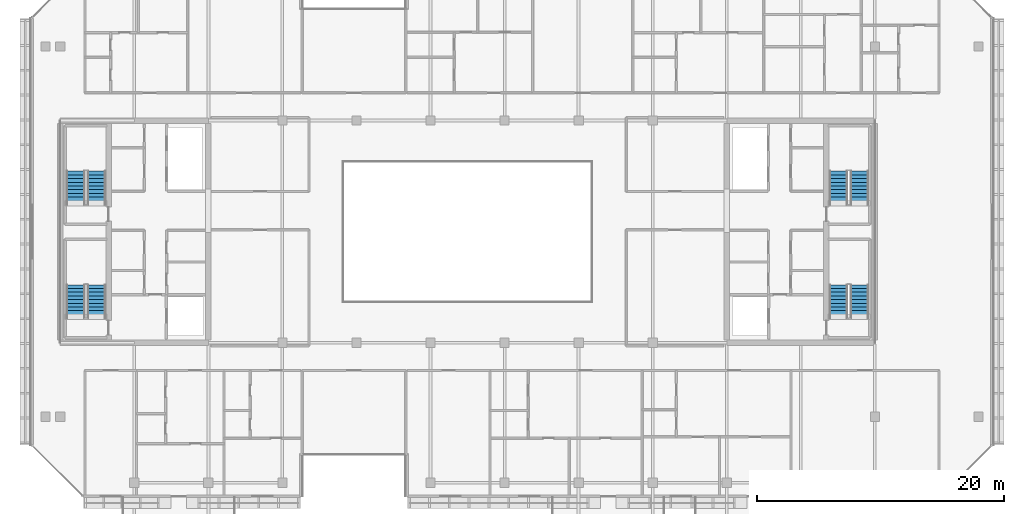
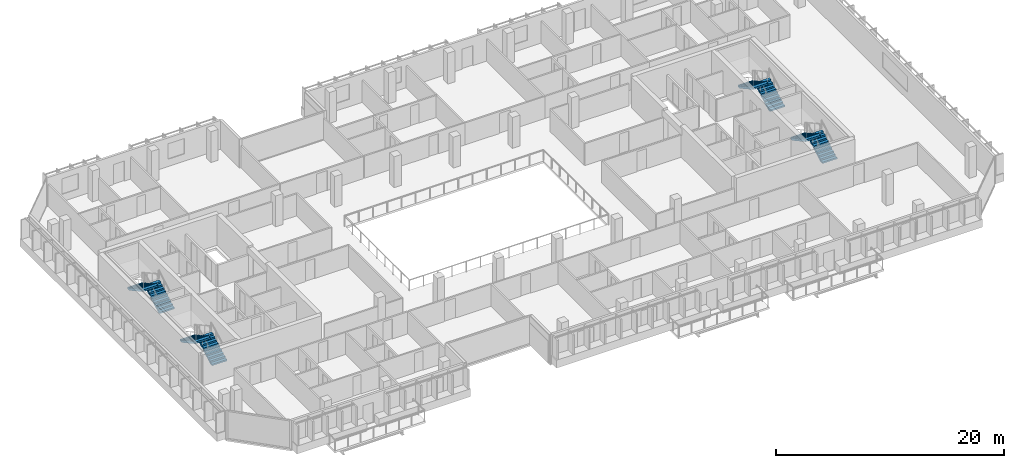
# One storey, part 20 of 25: 8 stair flights, 4 elements without a shape of their own.
"""IFC4 building model written with IfcOpenShell, lengths in metres."""

from ifc_helpers import new_model, si_unit, direction, frame, origin, place, context, subcontext, project, spatial, polyline, outline, extrude, material, type_object, element, aggregate, save


model = new_model("IFC4")

# Units and contexts
model_context = context("Model", 3, precision=1e-05, world=origin(), true_north=direction((0.0, 1.0)))
body_context = subcontext(model_context, "Body", "Model", "MODEL_VIEW")
ifc_project = project(units=[si_unit("LENGTHUNIT", "METRE"), si_unit("AREAUNIT", "SQUARE_METRE"), si_unit("VOLUMEUNIT", "CUBIC_METRE"), si_unit("PLANEANGLEUNIT", "RADIAN"), si_unit("MASSUNIT", "GRAM", prefix="KILO")], contexts=[model_context])

# Site, building, storey
site_placement = place(None, origin())
site = spatial("IfcSite", under=ifc_project, at=site_placement, CompositionType="ELEMENT")
building_placement = place(site_placement, origin())
building = spatial("IfcBuilding", under=site, at=building_placement, Name="Tanjung Sevakor Pilgrim Tower", CompositionType="ELEMENT")
storey_placement = place(building_placement, frame((0.0, 0.0, 204.929931640625)))
storey = spatial("IfcBuildingStorey", under=building, at=storey_placement, Name="L57", CompositionType="ELEMENT", Elevation=204.929931640625)

# Stair, stair flights
ifc_material_1 = material(Name="Concrete C40/50", Category="concrete")
stair_type = type_object("IfcStairType", Name="STAIR-ST-CR150", PredefinedType="HALF_TURN_STAIR", material=ifc_material_1)
stair_1_placement = place(storey_placement, origin())
stair_1 = element("IfcStair", 1, at=stair_1_placement, inside=storey, type_object=stair_type, Name="L57 West Core Exit Stair 1", PredefinedType="HALF_TURN_STAIR")
ifc_material_2 = material(Name="Concrete C40/50", Category="concrete")
stair_flight_type = type_object("IfcStairFlightType", Name="FLIGHT-ST-CR150", PredefinedType="STRAIGHT", material=ifc_material_2)
stair_flight_1_placement = place(storey_placement, frame((26.949951171875, 26.60009765625, 0.0), z_axis=(0.0, 0.0, 1.0), x_axis=(0.0, 1.0, 0.0)))
stair_flight_1 = element("IfcStairFlight", 2, at=stair_flight_1_placement, type_object=stair_flight_type, Name="TS-W1 flight 1", NumberOfRisers=10, NumberOfTreads=9, PredefinedType="STRAIGHT", RiserHeight=0.165, TreadLength=0.3, context=body_context, shape_type="SweptSolid", body=[
    extrude(outline(polyline([(0.0, 0.0), (0.0, 0.1650390625), (0.300048828125, 0.1650390625), (0.300048828125, 0.330078125), (0.60009765625, 0.330078125), (0.60009765625, 0.4951171875), (0.89990234375, 0.4951171875), (0.89990234375, 0.659912109375), (1.199951171875, 0.659912109375), (1.199951171875, 0.824951171875), (1.5, 0.824951171875), (1.5, 0.989990234375), (1.800048828125, 0.989990234375), (1.800048828125, 1.155029296875), (2.10009765625, 1.155029296875), (2.10009765625, 1.320068359375), (2.39990234375, 1.320068359375), (2.39990234375, 1.485107421875), (2.699951171875, 1.485107421875), (2.699951171875, 1.64990234375), (2.699951171875, 1.302490234375), (0.331787109375, 0.0), (0.0, 0.0)])), frame((0.0, 0.75, 0.0), z_axis=(0.0, -1.0, 0.0), x_axis=(1.0, 0.0, 0.0)), (0.0, 0.0, 1.0), 1.5),
])
stair_flight_2_placement = place(storey_placement, frame((25.25, 29.300048828125, 1.650146484375), z_axis=(0.0, 0.0, 1.0), x_axis=(0.0, -1.0, 0.0)))
stair_flight_2 = element("IfcStairFlight", 3, at=stair_flight_2_placement, type_object=stair_flight_type, Name="TS-W1 flight 2", NumberOfRisers=10, NumberOfTreads=9, PredefinedType="STRAIGHT", RiserHeight=0.165, TreadLength=0.3, context=body_context, shape_type="SweptSolid", body=[
    extrude(outline(polyline([(0.0, 0.0), (0.0, 0.1650390625), (0.300048828125, 0.1650390625), (0.300048828125, 0.330078125), (0.60009765625, 0.330078125), (0.60009765625, 0.4951171875), (0.89990234375, 0.4951171875), (0.89990234375, 0.659912109375), (1.199951171875, 0.659912109375), (1.199951171875, 0.824951171875), (1.5, 0.824951171875), (1.5, 0.989990234375), (1.800048828125, 0.989990234375), (1.800048828125, 1.155029296875), (2.10009765625, 1.155029296875), (2.10009765625, 1.320068359375), (2.39990234375, 1.320068359375), (2.39990234375, 1.485107421875), (2.699951171875, 1.485107421875), (2.699951171875, 1.64990234375), (2.699951171875, 1.302490234375), (0.331787109375, 0.0), (0.0, 0.0)])), frame((0.0, 0.75, 0.0), z_axis=(0.0, -1.0, 0.0), x_axis=(1.0, 0.0, 0.0)), (0.0, 0.0, 1.0), 1.5),
])
aggregate(stair_1, [stair_flight_1, stair_flight_2])

stair_2_placement = place(storey_placement, origin())
stair_2 = element("IfcStair", 4, at=stair_2_placement, inside=storey, type_object=stair_type, Name="L57 West Core Exit Stair 2", PredefinedType="HALF_TURN_STAIR")
stair_flight_3_placement = place(storey_placement, frame((26.949951171875, 35.800048828125, 0.0), z_axis=(0.0, 0.0, 1.0), x_axis=(0.0, 1.0, 0.0)))
stair_flight_3 = element("IfcStairFlight", 5, at=stair_flight_3_placement, type_object=stair_flight_type, Name="TS-W2 flight 1", NumberOfRisers=10, NumberOfTreads=9, PredefinedType="STRAIGHT", RiserHeight=0.165, TreadLength=0.3, context=body_context, shape_type="SweptSolid", body=[
    extrude(outline(polyline([(0.0, 0.0), (0.0, 0.1650390625), (0.300048828125, 0.1650390625), (0.300048828125, 0.330078125), (0.60009765625, 0.330078125), (0.60009765625, 0.4951171875), (0.89990234375, 0.4951171875), (0.89990234375, 0.659912109375), (1.199951171875, 0.659912109375), (1.199951171875, 0.824951171875), (1.5, 0.824951171875), (1.5, 0.989990234375), (1.800048828125, 0.989990234375), (1.800048828125, 1.155029296875), (2.10009765625, 1.155029296875), (2.10009765625, 1.320068359375), (2.39990234375, 1.320068359375), (2.39990234375, 1.485107421875), (2.699951171875, 1.485107421875), (2.699951171875, 1.64990234375), (2.699951171875, 1.302490234375), (0.331787109375, 0.0), (0.0, 0.0)])), frame((0.0, 0.75, 0.0), z_axis=(0.0, -1.0, 0.0), x_axis=(1.0, 0.0, 0.0)), (0.0, 0.0, 1.0), 1.5),
])
stair_flight_4_placement = place(storey_placement, frame((25.25, 38.5, 1.650146484375), z_axis=(0.0, 0.0, 1.0), x_axis=(0.0, -1.0, 0.0)))
stair_flight_4 = element("IfcStairFlight", 6, at=stair_flight_4_placement, type_object=stair_flight_type, Name="TS-W2 flight 2", NumberOfRisers=10, NumberOfTreads=9, PredefinedType="STRAIGHT", RiserHeight=0.165, TreadLength=0.3, context=body_context, shape_type="SweptSolid", body=[
    extrude(outline(polyline([(0.0, 0.0), (0.0, 0.1650390625), (0.300048828125, 0.1650390625), (0.300048828125, 0.330078125), (0.60009765625, 0.330078125), (0.60009765625, 0.4951171875), (0.89990234375, 0.4951171875), (0.89990234375, 0.659912109375), (1.199951171875, 0.659912109375), (1.199951171875, 0.824951171875), (1.5, 0.824951171875), (1.5, 0.989990234375), (1.800048828125, 0.989990234375), (1.800048828125, 1.155029296875), (2.10009765625, 1.155029296875), (2.10009765625, 1.320068359375), (2.39990234375, 1.320068359375), (2.39990234375, 1.485107421875), (2.699951171875, 1.485107421875), (2.699951171875, 1.64990234375), (2.699951171875, 1.302490234375), (0.331787109375, 0.0), (0.0, 0.0)])), frame((0.0, 0.75, 0.0), z_axis=(0.0, -1.0, 0.0), x_axis=(1.0, 0.0, 0.0)), (0.0, 0.0, 1.0), 1.5),
])
aggregate(stair_2, [stair_flight_3, stair_flight_4])

stair_3_placement = place(storey_placement, origin())
stair_3 = element("IfcStair", 7, at=stair_3_placement, inside=storey, type_object=stair_type, Name="L57 East Core Exit Stair 1", PredefinedType="HALF_TURN_STAIR")
stair_flight_5_placement = place(storey_placement, frame((88.75, 26.60009765625, 0.0), z_axis=(0.0, 0.0, 1.0), x_axis=(0.0, 1.0, 0.0)))
stair_flight_5 = element("IfcStairFlight", 8, at=stair_flight_5_placement, type_object=stair_flight_type, Name="TS-E1 flight 1", NumberOfRisers=10, NumberOfTreads=9, PredefinedType="STRAIGHT", RiserHeight=0.165, TreadLength=0.3, context=body_context, shape_type="SweptSolid", body=[
    extrude(outline(polyline([(0.0, 0.0), (0.0, 0.1650390625), (0.300048828125, 0.1650390625), (0.300048828125, 0.330078125), (0.60009765625, 0.330078125), (0.60009765625, 0.4951171875), (0.89990234375, 0.4951171875), (0.89990234375, 0.659912109375), (1.199951171875, 0.659912109375), (1.199951171875, 0.824951171875), (1.5, 0.824951171875), (1.5, 0.989990234375), (1.800048828125, 0.989990234375), (1.800048828125, 1.155029296875), (2.10009765625, 1.155029296875), (2.10009765625, 1.320068359375), (2.39990234375, 1.320068359375), (2.39990234375, 1.485107421875), (2.699951171875, 1.485107421875), (2.699951171875, 1.64990234375), (2.699951171875, 1.302490234375), (0.331787109375, 0.0), (0.0, 0.0)])), frame((0.0, 0.75, 0.0), z_axis=(0.0, -1.0, 0.0), x_axis=(1.0, 0.0, 0.0)), (0.0, 0.0, 1.0), 1.5),
])
stair_flight_6_placement = place(storey_placement, frame((87.050048828125, 29.300048828125, 1.650146484375), z_axis=(0.0, 0.0, 1.0), x_axis=(0.0, -1.0, 0.0)))
stair_flight_6 = element("IfcStairFlight", 9, at=stair_flight_6_placement, type_object=stair_flight_type, Name="TS-E1 flight 2", NumberOfRisers=10, NumberOfTreads=9, PredefinedType="STRAIGHT", RiserHeight=0.165, TreadLength=0.3, context=body_context, shape_type="SweptSolid", body=[
    extrude(outline(polyline([(0.0, 0.0), (0.0, 0.1650390625), (0.300048828125, 0.1650390625), (0.300048828125, 0.330078125), (0.60009765625, 0.330078125), (0.60009765625, 0.4951171875), (0.89990234375, 0.4951171875), (0.89990234375, 0.659912109375), (1.199951171875, 0.659912109375), (1.199951171875, 0.824951171875), (1.5, 0.824951171875), (1.5, 0.989990234375), (1.800048828125, 0.989990234375), (1.800048828125, 1.155029296875), (2.10009765625, 1.155029296875), (2.10009765625, 1.320068359375), (2.39990234375, 1.320068359375), (2.39990234375, 1.485107421875), (2.699951171875, 1.485107421875), (2.699951171875, 1.64990234375), (2.699951171875, 1.302490234375), (0.331787109375, 0.0), (0.0, 0.0)])), frame((0.0, 0.75, 0.0), z_axis=(0.0, -1.0, 0.0), x_axis=(1.0, 0.0, 0.0)), (0.0, 0.0, 1.0), 1.5),
])
aggregate(stair_3, [stair_flight_5, stair_flight_6])

stair_4_placement = place(storey_placement, origin())
stair_4 = element("IfcStair", 10, at=stair_4_placement, inside=storey, type_object=stair_type, Name="L57 East Core Exit Stair 2", PredefinedType="HALF_TURN_STAIR")
stair_flight_7_placement = place(storey_placement, frame((88.75, 35.800048828125, 0.0), z_axis=(0.0, 0.0, 1.0), x_axis=(0.0, 1.0, 0.0)))
stair_flight_7 = element("IfcStairFlight", 11, at=stair_flight_7_placement, type_object=stair_flight_type, Name="TS-E2 flight 1", NumberOfRisers=10, NumberOfTreads=9, PredefinedType="STRAIGHT", RiserHeight=0.165, TreadLength=0.3, context=body_context, shape_type="SweptSolid", body=[
    extrude(outline(polyline([(0.0, 0.0), (0.0, 0.1650390625), (0.300048828125, 0.1650390625), (0.300048828125, 0.330078125), (0.60009765625, 0.330078125), (0.60009765625, 0.4951171875), (0.89990234375, 0.4951171875), (0.89990234375, 0.659912109375), (1.199951171875, 0.659912109375), (1.199951171875, 0.824951171875), (1.5, 0.824951171875), (1.5, 0.989990234375), (1.800048828125, 0.989990234375), (1.800048828125, 1.155029296875), (2.10009765625, 1.155029296875), (2.10009765625, 1.320068359375), (2.39990234375, 1.320068359375), (2.39990234375, 1.485107421875), (2.699951171875, 1.485107421875), (2.699951171875, 1.64990234375), (2.699951171875, 1.302490234375), (0.331787109375, 0.0), (0.0, 0.0)])), frame((0.0, 0.75, 0.0), z_axis=(0.0, -1.0, 0.0), x_axis=(1.0, 0.0, 0.0)), (0.0, 0.0, 1.0), 1.5),
])
stair_flight_8_placement = place(storey_placement, frame((87.050048828125, 38.5, 1.650146484375), z_axis=(0.0, 0.0, 1.0), x_axis=(0.0, -1.0, 0.0)))
stair_flight_8 = element("IfcStairFlight", 12, at=stair_flight_8_placement, type_object=stair_flight_type, Name="TS-E2 flight 2", NumberOfRisers=10, NumberOfTreads=9, PredefinedType="STRAIGHT", RiserHeight=0.165, TreadLength=0.3, context=body_context, shape_type="SweptSolid", body=[
    extrude(outline(polyline([(0.0, 0.0), (0.0, 0.1650390625), (0.300048828125, 0.1650390625), (0.300048828125, 0.330078125), (0.60009765625, 0.330078125), (0.60009765625, 0.4951171875), (0.89990234375, 0.4951171875), (0.89990234375, 0.659912109375), (1.199951171875, 0.659912109375), (1.199951171875, 0.824951171875), (1.5, 0.824951171875), (1.5, 0.989990234375), (1.800048828125, 0.989990234375), (1.800048828125, 1.155029296875), (2.10009765625, 1.155029296875), (2.10009765625, 1.320068359375), (2.39990234375, 1.320068359375), (2.39990234375, 1.485107421875), (2.699951171875, 1.485107421875), (2.699951171875, 1.64990234375), (2.699951171875, 1.302490234375), (0.331787109375, 0.0), (0.0, 0.0)])), frame((0.0, 0.75, 0.0), z_axis=(0.0, -1.0, 0.0), x_axis=(1.0, 0.0, 0.0)), (0.0, 0.0, 1.0), 1.5),
])
aggregate(stair_4, [stair_flight_7, stair_flight_8])

save(model, "model.ifc")
